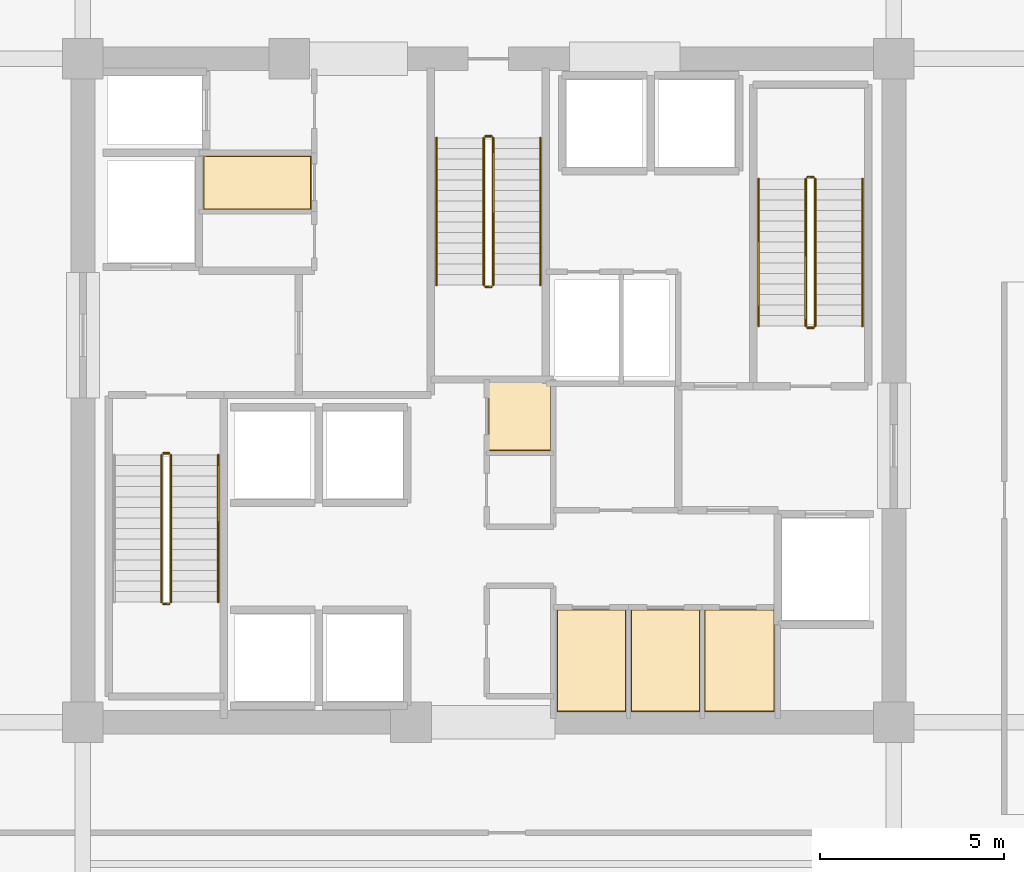
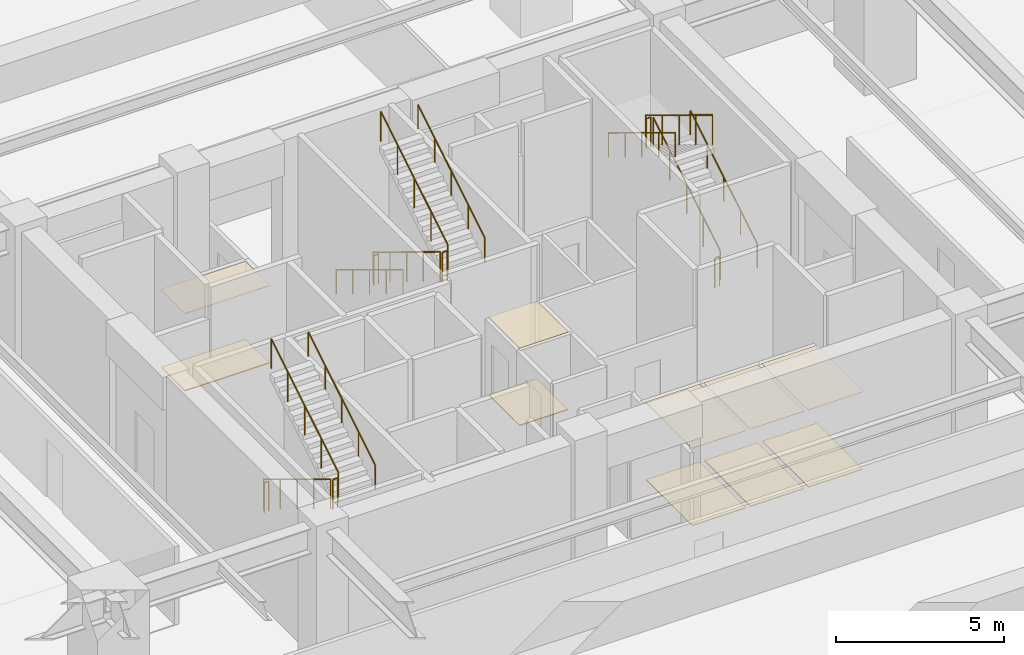
# One storey, part 41 of 43: 17 railings, 10 coverings.
"""IFC4 building model written with IfcOpenShell, lengths in metres."""

from ifc_helpers import new_model, si_unit, direction, frame, origin, origin_2d, place, context, subcontext, project, spatial, polyline, circle, outline, extrude, material, layer, layer_set, type_object, element, save


model = new_model("IFC4")

# Units and contexts
model_context = context("Model", 3, precision=1e-05, world=origin(), true_north=direction((0.0, 1.0)))
body_context = subcontext(model_context, "Body", "Model", "MODEL_VIEW")
ifc_project = project(units=[si_unit("LENGTHUNIT", "METRE"), si_unit("AREAUNIT", "SQUARE_METRE"), si_unit("VOLUMEUNIT", "CUBIC_METRE"), si_unit("PLANEANGLEUNIT", "RADIAN"), si_unit("MASSUNIT", "GRAM", prefix="KILO")], contexts=[model_context])

# Site, building, storey
site_placement = place(None, origin())
site = spatial("IfcSite", under=ifc_project, at=site_placement, CompositionType="ELEMENT")
building_placement = place(site_placement, origin())
building = spatial("IfcBuilding", under=site, at=building_placement, Name="Kovane Verandah Tower", CompositionType="ELEMENT")
storey_placement = place(building_placement, frame((0.0, 0.0, 11.199951171875)))
storey = spatial("IfcBuildingStorey", under=building, at=storey_placement, Name="L02", CompositionType="ELEMENT", Elevation=11.199951171875)

# Coverings
ifc_material_1 = material(Name="Perforated Acoustic Mineral-Fibre Ceiling Tile", Category="gypsum")
ifc_layer_1 = layer(ifc_material_1, 0.02490234375)
ifc_layer_set_1 = layer_set([ifc_layer_1], Name="Perforated Acoustic Mineral-Fibre Ceiling Tile")
covering_type_1 = type_object("IfcCoveringType", Name="CV-CEIL-25", PredefinedType="CEILING", material=ifc_layer_set_1)
covering_1_placement = place(storey_placement, frame((0.0, 0.0, 2.824951171875)))
element("IfcCovering", 1, at=covering_1_placement, inside=storey, type_object=covering_type_1, Name="L02 Mail and Copy Room Acoustic Ceiling", PredefinedType="CEILING", context=body_context, shape_type="SweptSolid", body=[
    extrude(outline(polyline([(41.864990234375, 18.784912109375), (43.735107421875, 18.784912109375), (43.735107421875, 21.56494140625), (41.864990234375, 21.56494140625), (41.864990234375, 18.784912109375)])), origin(), (0.0, 0.0, 1.0), 0.025146484375),
])
covering_2_placement = place(storey_placement, frame((0.0, 0.0, 2.824951171875)))
element("IfcCovering", 2, at=covering_2_placement, inside=storey, type_object=covering_type_1, Name="L02 First Aid Room Acoustic Ceiling", PredefinedType="CEILING", context=body_context, shape_type="SweptSolid", body=[
    extrude(outline(polyline([(43.864990234375, 18.784912109375), (45.735107421875, 18.784912109375), (45.735107421875, 21.56494140625), (43.864990234375, 21.56494140625), (43.864990234375, 18.784912109375)])), origin(), (0.0, 0.0, 1.0), 0.025146484375),
])
covering_3_placement = place(storey_placement, frame((0.0, 0.0, 2.824951171875)))
element("IfcCovering", 3, at=covering_3_placement, inside=storey, type_object=covering_type_1, Name="L02 Quiet Wellness Room Acoustic Ceiling", PredefinedType="CEILING", context=body_context, shape_type="SweptSolid", body=[
    extrude(outline(polyline([(45.864990234375, 18.784912109375), (47.764892578125, 18.784912109375), (47.764892578125, 21.56494140625), (45.864990234375, 21.56494140625), (45.864990234375, 18.784912109375)])), origin(), (0.0, 0.0, 1.0), 0.025146484375),
])
covering_4_placement = place(storey_placement, frame((0.0, 0.0, 2.824951171875)))
element("IfcCovering", 4, at=covering_4_placement, inside=storey, type_object=covering_type_1, Name="L02 North-West First Aid Room Acoustic Ceiling", PredefinedType="CEILING", context=body_context, shape_type="SweptSolid", body=[
    extrude(outline(polyline([(32.264892578125, 32.4150390625), (35.195068359375, 32.4150390625), (35.195068359375, 33.864990234375), (32.264892578125, 33.864990234375), (32.264892578125, 32.4150390625)])), origin(), (0.0, 0.0, 1.0), 0.025146484375),
])
covering_5_placement = place(storey_placement, frame((0.0, 0.0, 2.824951171875)))
element("IfcCovering", 5, at=covering_5_placement, inside=storey, type_object=covering_type_1, Name="L02 Central First Aid and Wellness Room Acoustic Ceiling", PredefinedType="CEILING", context=body_context, shape_type="SweptSolid", body=[
    extrude(outline(polyline([(40.0048828125, 25.864990234375), (41.695068359375, 25.864990234375), (41.695068359375, 27.735107421875), (40.0048828125, 27.735107421875), (40.0048828125, 25.864990234375)])), origin(), (0.0, 0.0, 1.0), 0.025146484375),
])
ifc_material_2 = material(Name="Polished Terrazzo and Raised-Access Carpet Tile Finish", Category="concrete")
ifc_layer_2 = layer(ifc_material_2, 0.030029296875)
ifc_layer_set_2 = layer_set([ifc_layer_2], Name="Polished Terrazzo and Raised-Access Carpet Tile Finish")
covering_type_2 = type_object("IfcCoveringType", Name="CV-FLOR-30", PredefinedType="FLOORING", material=ifc_layer_set_2)
covering_6_placement = place(storey_placement, origin())
element("IfcCovering", 6, at=covering_6_placement, inside=storey, type_object=covering_type_2, Name="L02 Mail and Copy Room Floor Finish", PredefinedType="FLOORING", context=body_context, shape_type="SweptSolid", body=[
    extrude(outline(polyline([(41.8798828125, 18.800048828125), (43.719970703125, 18.800048828125), (43.719970703125, 21.550048828125), (41.8798828125, 21.550048828125), (41.8798828125, 18.800048828125)])), origin(), (0.0, 0.0, 1.0), 0.030029296875),
])
covering_7_placement = place(storey_placement, origin())
element("IfcCovering", 7, at=covering_7_placement, inside=storey, type_object=covering_type_2, Name="L02 First Aid Room Floor Finish", PredefinedType="FLOORING", context=body_context, shape_type="SweptSolid", body=[
    extrude(outline(polyline([(43.8798828125, 18.800048828125), (45.719970703125, 18.800048828125), (45.719970703125, 21.550048828125), (43.8798828125, 21.550048828125), (43.8798828125, 18.800048828125)])), origin(), (0.0, 0.0, 1.0), 0.030029296875),
])
covering_8_placement = place(storey_placement, origin())
element("IfcCovering", 8, at=covering_8_placement, inside=storey, type_object=covering_type_2, Name="L02 Quiet Wellness Room Floor Finish", PredefinedType="FLOORING", context=body_context, shape_type="SweptSolid", body=[
    extrude(outline(polyline([(45.8798828125, 18.800048828125), (47.75, 18.800048828125), (47.75, 21.550048828125), (45.8798828125, 21.550048828125), (45.8798828125, 18.800048828125)])), origin(), (0.0, 0.0, 1.0), 0.030029296875),
])
covering_9_placement = place(storey_placement, origin())
element("IfcCovering", 9, at=covering_9_placement, inside=storey, type_object=covering_type_2, Name="L02 North-West First Aid Room Floor Finish", PredefinedType="FLOORING", context=body_context, shape_type="SweptSolid", body=[
    extrude(outline(polyline([(32.280029296875, 32.429931640625), (35.179931640625, 32.429931640625), (35.179931640625, 33.85009765625), (32.280029296875, 33.85009765625), (32.280029296875, 32.429931640625)])), origin(), (0.0, 0.0, 1.0), 0.030029296875),
])
covering_10_placement = place(storey_placement, origin())
element("IfcCovering", 10, at=covering_10_placement, inside=storey, type_object=covering_type_2, Name="L02 Central First Aid and Wellness Room Floor Finish", PredefinedType="FLOORING", context=body_context, shape_type="SweptSolid", body=[
    extrude(outline(polyline([(40.02001953125, 25.8798828125), (41.679931640625, 25.8798828125), (41.679931640625, 27.719970703125), (40.02001953125, 27.719970703125), (40.02001953125, 25.8798828125)])), origin(), (0.0, 0.0, 1.0), 0.030029296875),
])

# Railings
ifc_material_3 = material(Name="Brushed Stainless Steel Handrail", Category="steel")
railing_type_1 = type_object("IfcRailingType", Name="RL-HAND-920", PredefinedType="HANDRAIL", material=ifc_material_3)
railing_1_placement = place(storey_placement, frame((32.669921875, 21.760009765625, 2.7734375)))
element("IfcRailing", 11, at=railing_1_placement, inside=storey, type_object=railing_type_1, Name="L02 ST-01 stair handrail 2", PredefinedType="HANDRAIL", context=body_context, shape_type="SweptSolid", body=[
    extrude(circle(Radius=0.02392578125, at=origin_2d()), frame((0.0, 0.0, 0.8759765625), z_axis=(0.0, 0.854405443041, 0.519606908058), x_axis=(-1.0, 0.0, 0.0)), (0.0, 0.0, 1.0), 4.669921875),
    extrude(circle(Radius=0.02099609375, at=origin_2d()), origin(), (0.0, 0.0, 1.0), 0.851806640625),
    extrude(circle(Radius=0.02099609375, at=origin_2d()), frame((0.0, 0.99755859375, 0.606689453125)), (0.0, 0.0, 1.0), 0.851806640625),
    extrude(circle(Radius=0.02099609375, at=origin_2d()), frame((0.0, 1.9951171875, 1.21337890625)), (0.0, 0.0, 1.0), 0.851806640625),
    extrude(circle(Radius=0.02099609375, at=origin_2d()), frame((0.0, 2.992431640625, 1.81982421875)), (0.0, 0.0, 1.0), 0.851806640625),
    extrude(circle(Radius=0.02099609375, at=origin_2d()), frame((0.0, 3.989990234375, 2.426513671875)), (0.0, 0.0, 1.0), 0.851806640625),
])
railing_2_placement = place(storey_placement, frame((50.14990234375, 29.25, 0.17333984375)))
element("IfcRailing", 12, at=railing_2_placement, inside=storey, type_object=railing_type_1, Name="L02 ST-02 stair handrail 1", PredefinedType="HANDRAIL", context=body_context, shape_type="SweptSolid", body=[
    extrude(circle(Radius=0.02392578125, at=origin_2d()), frame((0.0, 0.0, 0.8759765625), z_axis=(0.0, 0.854382233033, 0.519645071061), x_axis=(-1.0, 0.0, 0.0)), (0.0, 0.0, 1.0), 4.669921875),
    extrude(circle(Radius=0.02099609375, at=origin_2d()), origin(), (0.0, 0.0, 1.0), 0.851806640625),
    extrude(circle(Radius=0.02099609375, at=origin_2d()), frame((0.0, 0.99755859375, 0.606689453125)), (0.0, 0.0, 1.0), 0.851806640625),
    extrude(circle(Radius=0.02099609375, at=origin_2d()), frame((0.0, 1.9951171875, 1.21337890625)), (0.0, 0.0, 1.0), 0.851806640625),
    extrude(circle(Radius=0.02099609375, at=origin_2d()), frame((0.0, 2.992431640625, 1.820068359375)), (0.0, 0.0, 1.0), 0.851806640625),
    extrude(circle(Radius=0.02099609375, at=origin_2d()), frame((0.0, 3.989990234375, 2.4267578125)), (0.0, 0.0, 1.0), 0.851806640625),
])
railing_3_placement = place(storey_placement, frame((47.330078125, 33.239990234375, 2.7734375)))
element("IfcRailing", 13, at=railing_3_placement, inside=storey, type_object=railing_type_1, Name="L02 ST-02 stair handrail 2", PredefinedType="HANDRAIL", context=body_context, shape_type="SweptSolid", body=[
    extrude(circle(Radius=0.02392578125, at=origin_2d()), frame((0.0, 0.0, 0.8759765625), z_axis=(0.0, -0.854405443041, 0.519606908058), x_axis=(1.0, 0.0, 0.0)), (0.0, 0.0, 1.0), 4.669921875),
    extrude(circle(Radius=0.02099609375, at=origin_2d()), origin(), (0.0, 0.0, 1.0), 0.851806640625),
    extrude(circle(Radius=0.02099609375, at=origin_2d()), frame((0.0, -0.99755859375, 0.606689453125)), (0.0, 0.0, 1.0), 0.851806640625),
    extrude(circle(Radius=0.02099609375, at=origin_2d()), frame((0.0, -1.9951171875, 1.21337890625)), (0.0, 0.0, 1.0), 0.851806640625),
    extrude(circle(Radius=0.02099609375, at=origin_2d()), frame((0.0, -2.992431640625, 1.81982421875)), (0.0, 0.0, 1.0), 0.851806640625),
    extrude(circle(Radius=0.02099609375, at=origin_2d()), frame((0.0, -3.989990234375, 2.426513671875)), (0.0, 0.0, 1.0), 0.851806640625),
])
railing_4_placement = place(storey_placement, frame((38.590087890625, 34.35009765625, 0.17333984375)))
element("IfcRailing", 14, at=railing_4_placement, inside=storey, type_object=railing_type_1, Name="L02 ST-03 stair handrail 1", PredefinedType="HANDRAIL", context=body_context, shape_type="SweptSolid", body=[
    extrude(circle(Radius=0.02392578125, at=origin_2d()), frame((0.0, 0.0, 0.8759765625), z_axis=(0.0, -0.854382233033, 0.519645071061), x_axis=(1.0, 0.0, 0.0)), (0.0, 0.0, 1.0), 4.669921875),
    extrude(circle(Radius=0.02099609375, at=origin_2d()), origin(), (0.0, 0.0, 1.0), 0.851806640625),
    extrude(circle(Radius=0.02099609375, at=origin_2d()), frame((0.0, -0.99755859375, 0.606689453125)), (0.0, 0.0, 1.0), 0.851806640625),
    extrude(circle(Radius=0.02099609375, at=origin_2d()), frame((0.0, -1.9951171875, 1.21337890625)), (0.0, 0.0, 1.0), 0.851806640625),
    extrude(circle(Radius=0.02099609375, at=origin_2d()), frame((0.0, -2.992431640625, 1.820068359375)), (0.0, 0.0, 1.0), 0.851806640625),
    extrude(circle(Radius=0.02099609375, at=origin_2d()), frame((0.0, -3.989990234375, 2.4267578125)), (0.0, 0.0, 1.0), 0.851806640625),
])
railing_5_placement = place(storey_placement, frame((41.409912109375, 30.360107421875, 2.7734375)))
element("IfcRailing", 15, at=railing_5_placement, inside=storey, type_object=railing_type_1, Name="L02 ST-03 stair handrail 2", PredefinedType="HANDRAIL", context=body_context, shape_type="SweptSolid", body=[
    extrude(circle(Radius=0.02392578125, at=origin_2d()), frame((0.0, 0.0, 0.8759765625), z_axis=(0.0, 0.854405443041, 0.519606908058), x_axis=(-1.0, 0.0, 0.0)), (0.0, 0.0, 1.0), 4.669921875),
    extrude(circle(Radius=0.02099609375, at=origin_2d()), origin(), (0.0, 0.0, 1.0), 0.851806640625),
    extrude(circle(Radius=0.02099609375, at=origin_2d()), frame((0.0, 0.99755859375, 0.606689453125)), (0.0, 0.0, 1.0), 0.851806640625),
    extrude(circle(Radius=0.02099609375, at=origin_2d()), frame((0.0, 1.9951171875, 1.21337890625)), (0.0, 0.0, 1.0), 0.851806640625),
    extrude(circle(Radius=0.02099609375, at=origin_2d()), frame((0.0, 2.992431640625, 1.81982421875)), (0.0, 0.0, 1.0), 0.851806640625),
    extrude(circle(Radius=0.02099609375, at=origin_2d()), frame((0.0, 3.989990234375, 2.426513671875)), (0.0, 0.0, 1.0), 0.851806640625),
])
ifc_material_4 = material(Name="Painted Steel Stairwell Guardrail", Category="steel")
railing_type_2 = type_object("IfcRailingType", Name="RL-STGUARD-1120", PredefinedType="GUARDRAIL", material=ifc_material_4)
railing_6_placement = place(storey_placement, frame((31.1298828125, 25.75, 0.17333984375)))
element("IfcRailing", 16, at=railing_6_placement, inside=storey, type_object=railing_type_2, Name="L02 ST-01 stair guard 1", PredefinedType="GUARDRAIL", context=body_context, shape_type="SweptSolid", body=[
    extrude(circle(Radius=0.02392578125, at=origin_2d()), frame((0.0, 0.0, 1.076171875), z_axis=(0.0, -0.854382233033, 0.519645071061), x_axis=(1.0, 0.0, 0.0)), (0.0, 0.0, 1.0), 4.669921875),
    extrude(circle(Radius=0.02099609375, at=origin_2d()), origin(), (0.0, 0.0, 1.0), 1.052001953125),
    extrude(circle(Radius=0.02099609375, at=origin_2d()), frame((0.0, -0.99755859375, 0.606689453125)), (0.0, 0.0, 1.0), 1.052001953125),
    extrude(circle(Radius=0.02099609375, at=origin_2d()), frame((0.0, -1.9951171875, 1.21337890625)), (0.0, 0.0, 1.0), 1.052001953125),
    extrude(circle(Radius=0.02099609375, at=origin_2d()), frame((0.0, -2.992431640625, 1.820068359375)), (0.0, 0.0, 1.0), 1.052001953125),
    extrude(circle(Radius=0.02099609375, at=origin_2d()), frame((0.0, -3.989990234375, 2.4267578125)), (0.0, 0.0, 1.0), 1.052001953125),
])
railing_7_placement = place(storey_placement, frame((31.179931640625, 21.7099609375, 2.60009765625)))
element("IfcRailing", 17, at=railing_7_placement, inside=storey, type_object=railing_type_2, Name="L02 ST-01 stair guard 2", PredefinedType="GUARDRAIL", context=body_context, shape_type="SweptSolid", body=[
    extrude(circle(Radius=0.02392578125, at=origin_2d()), frame((0.0, 0.0, 1.076171875), z_axis=(1.0, 0.0, 0.0), x_axis=(0.0, 1.0, 0.0)), (0.0, 0.0, 1.0), 0.16015625),
    extrude(circle(Radius=0.02099609375, at=origin_2d()), origin(), (0.0, 0.0, 1.0), 1.052001953125),
    extrude(circle(Radius=0.02099609375, at=origin_2d()), frame((0.16015625, 0.0, 0.0)), (0.0, 0.0, 1.0), 1.052001953125),
])
railing_8_placement = place(storey_placement, frame((31.389892578125, 21.760009765625, 2.7734375)))
element("IfcRailing", 18, at=railing_8_placement, inside=storey, type_object=railing_type_2, Name="L02 ST-01 stair guard 3", PredefinedType="GUARDRAIL", context=body_context, shape_type="SweptSolid", body=[
    extrude(circle(Radius=0.02392578125, at=origin_2d()), frame((0.0, 0.0, 1.076171875), z_axis=(0.0, 0.854405443041, 0.519606908058), x_axis=(-1.0, 0.0, 0.0)), (0.0, 0.0, 1.0), 4.669921875),
    extrude(circle(Radius=0.02099609375, at=origin_2d()), origin(), (0.0, 0.0, 1.0), 1.052001953125),
    extrude(circle(Radius=0.02099609375, at=origin_2d()), frame((0.0, 0.99755859375, 0.606689453125)), (0.0, 0.0, 1.0), 1.052001953125),
    extrude(circle(Radius=0.02099609375, at=origin_2d()), frame((0.0, 1.9951171875, 1.21337890625)), (0.0, 0.0, 1.0), 1.052001953125),
    extrude(circle(Radius=0.02099609375, at=origin_2d()), frame((0.0, 2.992431640625, 1.81982421875)), (0.0, 0.0, 1.0), 1.052001953125),
    extrude(circle(Radius=0.02099609375, at=origin_2d()), frame((0.0, 3.989990234375, 2.426513671875)), (0.0, 0.0, 1.0), 1.052001953125),
])
railing_9_placement = place(storey_placement, frame((31.179931640625, 25.800048828125, 0.0)))
element("IfcRailing", 19, at=railing_9_placement, inside=storey, type_object=railing_type_2, Name="L02 ST-01 stair guard 4", PredefinedType="GUARDRAIL", context=body_context, shape_type="SweptSolid", body=[
    extrude(circle(Radius=0.02392578125, at=origin_2d()), frame((0.0, 0.0, 1.076171875), z_axis=(1.0, 0.0, 0.0), x_axis=(0.0, 1.0, 0.0)), (0.0, 0.0, 1.0), 0.16015625),
    extrude(circle(Radius=0.02099609375, at=origin_2d()), origin(), (0.0, 0.0, 1.0), 1.052001953125),
    extrude(circle(Radius=0.02099609375, at=origin_2d()), frame((0.16015625, 0.0, 0.0)), (0.0, 0.0, 1.0), 1.052001953125),
])
railing_10_placement = place(storey_placement, frame((48.8701171875, 29.25, 0.17333984375)))
element("IfcRailing", 20, at=railing_10_placement, inside=storey, type_object=railing_type_2, Name="L02 ST-02 stair guard 1", PredefinedType="GUARDRAIL", context=body_context, shape_type="SweptSolid", body=[
    extrude(circle(Radius=0.02392578125, at=origin_2d()), frame((0.0, 0.0, 1.076171875), z_axis=(0.0, 0.854382233033, 0.519645071061), x_axis=(-1.0, 0.0, 0.0)), (0.0, 0.0, 1.0), 4.669921875),
    extrude(circle(Radius=0.02099609375, at=origin_2d()), origin(), (0.0, 0.0, 1.0), 1.052001953125),
    extrude(circle(Radius=0.02099609375, at=origin_2d()), frame((0.0, 0.99755859375, 0.606689453125)), (0.0, 0.0, 1.0), 1.052001953125),
    extrude(circle(Radius=0.02099609375, at=origin_2d()), frame((0.0, 1.9951171875, 1.21337890625)), (0.0, 0.0, 1.0), 1.052001953125),
    extrude(circle(Radius=0.02099609375, at=origin_2d()), frame((0.0, 2.992431640625, 1.820068359375)), (0.0, 0.0, 1.0), 1.052001953125),
    extrude(circle(Radius=0.02099609375, at=origin_2d()), frame((0.0, 3.989990234375, 2.4267578125)), (0.0, 0.0, 1.0), 1.052001953125),
])
railing_11_placement = place(storey_placement, frame((48.820068359375, 33.2900390625, 2.60009765625)))
element("IfcRailing", 21, at=railing_11_placement, inside=storey, type_object=railing_type_2, Name="L02 ST-02 stair guard 2", PredefinedType="GUARDRAIL", context=body_context, shape_type="SweptSolid", body=[
    extrude(circle(Radius=0.02392578125, at=origin_2d()), frame((0.0, 0.0, 1.076171875), z_axis=(-1.0, 0.0, 0.0), x_axis=(0.0, -1.0, 0.0)), (0.0, 0.0, 1.0), 0.16015625),
    extrude(circle(Radius=0.02099609375, at=origin_2d()), origin(), (0.0, 0.0, 1.0), 1.052001953125),
    extrude(circle(Radius=0.02099609375, at=origin_2d()), frame((-0.16015625, 0.0, 0.0)), (0.0, 0.0, 1.0), 1.052001953125),
])
railing_12_placement = place(storey_placement, frame((48.610107421875, 33.239990234375, 2.7734375)))
element("IfcRailing", 22, at=railing_12_placement, inside=storey, type_object=railing_type_2, Name="L02 ST-02 stair guard 3", PredefinedType="GUARDRAIL", context=body_context, shape_type="SweptSolid", body=[
    extrude(circle(Radius=0.02392578125, at=origin_2d()), frame((0.0, 0.0, 1.076171875), z_axis=(0.0, -0.854405443041, 0.519606908058), x_axis=(1.0, 0.0, 0.0)), (0.0, 0.0, 1.0), 4.669921875),
    extrude(circle(Radius=0.02099609375, at=origin_2d()), origin(), (0.0, 0.0, 1.0), 1.052001953125),
    extrude(circle(Radius=0.02099609375, at=origin_2d()), frame((0.0, -0.99755859375, 0.606689453125)), (0.0, 0.0, 1.0), 1.052001953125),
    extrude(circle(Radius=0.02099609375, at=origin_2d()), frame((0.0, -1.9951171875, 1.21337890625)), (0.0, 0.0, 1.0), 1.052001953125),
    extrude(circle(Radius=0.02099609375, at=origin_2d()), frame((0.0, -2.992431640625, 1.81982421875)), (0.0, 0.0, 1.0), 1.052001953125),
    extrude(circle(Radius=0.02099609375, at=origin_2d()), frame((0.0, -3.989990234375, 2.426513671875)), (0.0, 0.0, 1.0), 1.052001953125),
])
railing_13_placement = place(storey_placement, frame((48.820068359375, 29.199951171875, 0.0)))
element("IfcRailing", 23, at=railing_13_placement, inside=storey, type_object=railing_type_2, Name="L02 ST-02 stair guard 4", PredefinedType="GUARDRAIL", context=body_context, shape_type="SweptSolid", body=[
    extrude(circle(Radius=0.02392578125, at=origin_2d()), frame((0.0, 0.0, 1.076171875), z_axis=(-1.0, 0.0, 0.0), x_axis=(0.0, -1.0, 0.0)), (0.0, 0.0, 1.0), 0.16015625),
    extrude(circle(Radius=0.02099609375, at=origin_2d()), origin(), (0.0, 0.0, 1.0), 1.052001953125),
    extrude(circle(Radius=0.02099609375, at=origin_2d()), frame((-0.16015625, 0.0, 0.0)), (0.0, 0.0, 1.0), 1.052001953125),
])
railing_14_placement = place(storey_placement, frame((39.8701171875, 34.35009765625, 0.17333984375)))
element("IfcRailing", 24, at=railing_14_placement, inside=storey, type_object=railing_type_2, Name="L02 ST-03 stair guard 1", PredefinedType="GUARDRAIL", context=body_context, shape_type="SweptSolid", body=[
    extrude(circle(Radius=0.02392578125, at=origin_2d()), frame((0.0, 0.0, 1.076171875), z_axis=(0.0, -0.854382233033, 0.519645071061), x_axis=(1.0, 0.0, 0.0)), (0.0, 0.0, 1.0), 4.669921875),
    extrude(circle(Radius=0.02099609375, at=origin_2d()), origin(), (0.0, 0.0, 1.0), 1.052001953125),
    extrude(circle(Radius=0.02099609375, at=origin_2d()), frame((0.0, -0.99755859375, 0.606689453125)), (0.0, 0.0, 1.0), 1.052001953125),
    extrude(circle(Radius=0.02099609375, at=origin_2d()), frame((0.0, -1.9951171875, 1.21337890625)), (0.0, 0.0, 1.0), 1.052001953125),
    extrude(circle(Radius=0.02099609375, at=origin_2d()), frame((0.0, -2.992431640625, 1.820068359375)), (0.0, 0.0, 1.0), 1.052001953125),
    extrude(circle(Radius=0.02099609375, at=origin_2d()), frame((0.0, -3.989990234375, 2.4267578125)), (0.0, 0.0, 1.0), 1.052001953125),
])
railing_15_placement = place(storey_placement, frame((39.919921875, 30.31005859375, 2.60009765625)))
element("IfcRailing", 25, at=railing_15_placement, inside=storey, type_object=railing_type_2, Name="L02 ST-03 stair guard 2", PredefinedType="GUARDRAIL", context=body_context, shape_type="SweptSolid", body=[
    extrude(circle(Radius=0.02392578125, at=origin_2d()), frame((0.0, 0.0, 1.076171875), z_axis=(1.0, 0.0, 0.0), x_axis=(0.0, 1.0, 0.0)), (0.0, 0.0, 1.0), 0.16015625),
    extrude(circle(Radius=0.02099609375, at=origin_2d()), origin(), (0.0, 0.0, 1.0), 1.052001953125),
    extrude(circle(Radius=0.02099609375, at=origin_2d()), frame((0.16015625, 0.0, 0.0)), (0.0, 0.0, 1.0), 1.052001953125),
])
railing_16_placement = place(storey_placement, frame((40.1298828125, 30.360107421875, 2.7734375)))
element("IfcRailing", 26, at=railing_16_placement, inside=storey, type_object=railing_type_2, Name="L02 ST-03 stair guard 3", PredefinedType="GUARDRAIL", context=body_context, shape_type="SweptSolid", body=[
    extrude(circle(Radius=0.02392578125, at=origin_2d()), frame((0.0, 0.0, 1.076171875), z_axis=(0.0, 0.854405443041, 0.519606908058), x_axis=(-1.0, 0.0, 0.0)), (0.0, 0.0, 1.0), 4.669921875),
    extrude(circle(Radius=0.02099609375, at=origin_2d()), origin(), (0.0, 0.0, 1.0), 1.052001953125),
    extrude(circle(Radius=0.02099609375, at=origin_2d()), frame((0.0, 0.99755859375, 0.606689453125)), (0.0, 0.0, 1.0), 1.052001953125),
    extrude(circle(Radius=0.02099609375, at=origin_2d()), frame((0.0, 1.9951171875, 1.21337890625)), (0.0, 0.0, 1.0), 1.052001953125),
    extrude(circle(Radius=0.02099609375, at=origin_2d()), frame((0.0, 2.992431640625, 1.81982421875)), (0.0, 0.0, 1.0), 1.052001953125),
    extrude(circle(Radius=0.02099609375, at=origin_2d()), frame((0.0, 3.989990234375, 2.426513671875)), (0.0, 0.0, 1.0), 1.052001953125),
])
railing_17_placement = place(storey_placement, frame((39.919921875, 34.39990234375, 0.0)))
element("IfcRailing", 27, at=railing_17_placement, inside=storey, type_object=railing_type_2, Name="L02 ST-03 stair guard 4", PredefinedType="GUARDRAIL", context=body_context, shape_type="SweptSolid", body=[
    extrude(circle(Radius=0.02392578125, at=origin_2d()), frame((0.0, 0.0, 1.076171875), z_axis=(1.0, 0.0, 0.0), x_axis=(0.0, 1.0, 0.0)), (0.0, 0.0, 1.0), 0.16015625),
    extrude(circle(Radius=0.02099609375, at=origin_2d()), origin(), (0.0, 0.0, 1.0), 1.052001953125),
    extrude(circle(Radius=0.02099609375, at=origin_2d()), frame((0.16015625, 0.0, 0.0)), (0.0, 0.0, 1.0), 1.052001953125),
])

save(model, "model.ifc")
